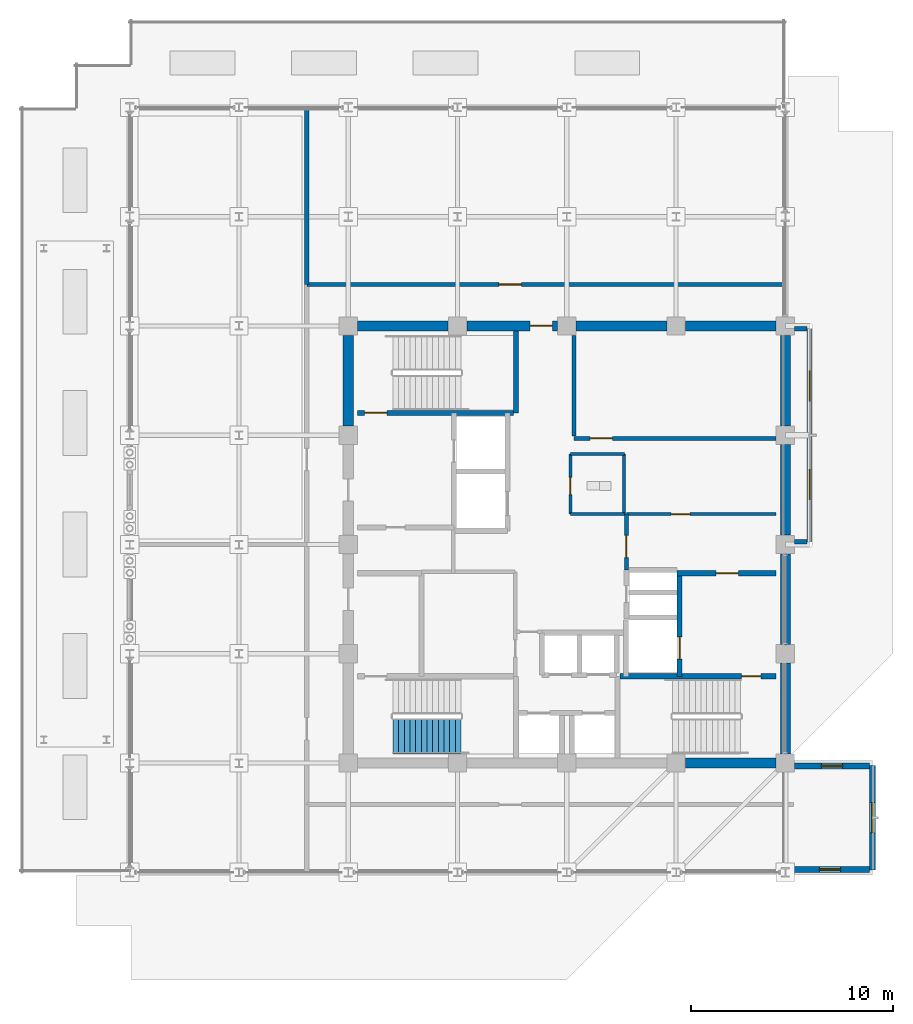
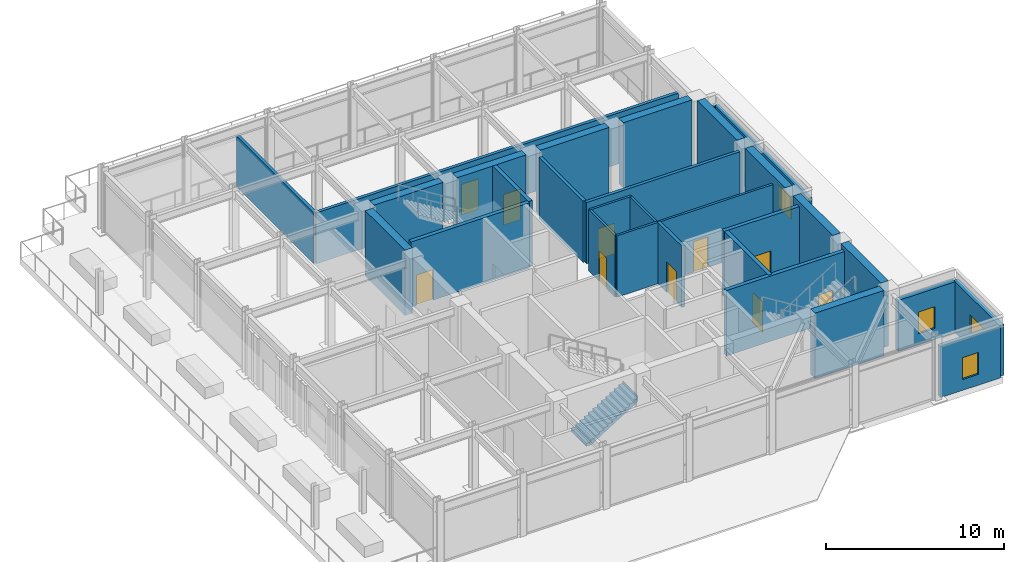
# One storey, part 15 of 22: 31 walls, 10 doors, 5 windows, 1 stair flight, 15 openings, 1 element without a shape of its own.
"""IFC4 building model written with IfcOpenShell, lengths in metres."""

import ifcopenshell
import ifcopenshell.guid

model = None  # the IFC model being written
_history = None  # IfcOwnerHistory: only IFC2X3 demands one
_inside = {}  # id of a spatial element -> (the spatial element, [elements in it])
_under = {}  # id of a project, library or spatial element -> (it, [spatial elements below it])
_declared = {}  # id of a project -> (the project, [libraries it declares])
_typed = {}  # id of a type object -> (the type object, [elements of that type])
_made_of = {}  # id of a material, layer set ... -> (it, [elements and type objects made of it])


def new_model(schema):
    """Start an empty IFC model of exactly this schema.

    Asked for "IFC4X3", IfcOpenShell would pick the latest addendum, in which some entities
    have other attributes; the version numbers below select the first issue.
    IFC2X3 requires an IfcOwnerHistory on every rooted entity: one is made here for all.
    """
    global model, _history
    if schema == "IFC4X3":
        model = ifcopenshell.file(schema_version=(4, 3, 0, 0))
    else:
        model = ifcopenshell.file(schema=schema)
    _inside.clear()
    _under.clear()
    _declared.clear()
    _typed.clear()
    _made_of.clear()
    _history = None
    if model.schema == "IFC2X3":
        org = make("IfcOrganization", Name="unknown")
        user = make(
            "IfcPersonAndOrganization",
            ThePerson=make("IfcPerson", FamilyName="unknown"),
            TheOrganization=org,
        )
        app = make(
            "IfcApplication",
            ApplicationDeveloper=org,
            Version="unknown",
            ApplicationFullName="unknown",
            ApplicationIdentifier="unknown",
        )
        _history = make(
            "IfcOwnerHistory",
            OwningUser=user,
            OwningApplication=app,
            ChangeAction="ADDED",
            CreationDate=0,
        )
    return model


def make(cls, **values):
    """One entity of the class cls with the attributes given. An attribute that is None is left unset."""
    return model.create_entity(
        cls, **{name: value for name, value in values.items() if value is not None}
    )


def rooted(cls, **values):
    """An entity with a GlobalId (a new one), such as an element, a storey or a relation."""
    return make(cls, GlobalId=ifcopenshell.guid.new(), OwnerHistory=_history, **values)


def si_unit(unit_type, name, prefix=None):
    """IfcSIUnit, for example si_unit("LENGTHUNIT", "METRE", prefix="MILLI")."""
    return make("IfcSIUnit", UnitType=unit_type, Prefix=prefix, Name=name)


def assignment(units):
    """IfcUnitAssignment: the units of a project."""
    return None if units is None else make("IfcUnitAssignment", Units=units)


def point(xyz):
    """IfcCartesianPoint."""
    return None if xyz is None else make("IfcCartesianPoint", Coordinates=xyz)


def direction(xyz):
    """IfcDirection."""
    return None if xyz is None else make("IfcDirection", DirectionRatios=xyz)


def frame(location, z_axis=None, x_axis=None):
    """IfcAxis2Placement3D, a coordinate frame: its origin and axes. An axis left out is left unset."""
    return make(
        "IfcAxis2Placement3D",
        Location=point(location),
        Axis=direction(z_axis),
        RefDirection=direction(x_axis),
    )


def frame_2d(location, x_axis=None):
    """IfcAxis2Placement2D, a coordinate frame in the plane: its origin and x axis."""
    return make(
        "IfcAxis2Placement2D", Location=point(location), RefDirection=direction(x_axis)
    )


def origin():
    """The frame at (0, 0, 0) with its axes left unset."""
    return frame((0.0, 0.0, 0.0))


def place(relative_to, where):
    """IfcLocalPlacement: puts the frame where relative to a parent placement (None: the world)."""
    return make(
        "IfcLocalPlacement", PlacementRelTo=relative_to, RelativePlacement=where
    )


def context(
    kind, dimensions, precision=None, world=None, true_north=None, identifier=None
):
    """IfcGeometricRepresentationContext, for example the 3D "Model" context."""
    return make(
        "IfcGeometricRepresentationContext",
        ContextIdentifier=identifier,
        ContextType=kind,
        CoordinateSpaceDimension=dimensions,
        Precision=precision,
        WorldCoordinateSystem=world,
        TrueNorth=true_north,
    )


def subcontext(parent, identifier, kind, view, scale=None):
    """IfcGeometricRepresentationSubContext, for example "Body" below "Model"."""
    return make(
        "IfcGeometricRepresentationSubContext",
        ContextIdentifier=identifier,
        ContextType=kind,
        ParentContext=parent,
        TargetScale=scale,
        TargetView=view,
    )


def project(units=None, contexts=None):
    """IfcProject with its units and contexts."""
    return rooted(
        "IfcProject",
        Name="project",
        RepresentationContexts=contexts,
        UnitsInContext=assignment(units),
    )


def spatial(cls, under=None, at=None, **own):
    """A site, building, storey or space (cls), placed at a placement, below another one or the project."""
    s = rooted(cls, ObjectPlacement=at, **own)
    if under is not None:
        _under.setdefault(under.id(), (under, []))[1].append(s)
    return s


def polyline(points):
    """IfcPolyline through the points."""
    return make("IfcPolyline", Points=[point(p) for p in points])


def profile(cls, at=None, kind="AREA", **sizes):
    """A parametric profile (cls). Its sizes go by their IFC names, for example OverallWidth=200.0."""
    return make(cls, ProfileType=kind, Position=at, **sizes)


def rectangle(**sizes):
    """IfcRectangleProfileDef."""
    return profile("IfcRectangleProfileDef", **sizes)


def outline(outer, holes=None, kind="AREA"):
    """IfcArbitraryClosedProfileDef: a profile drawn as a closed curve; with holes, ...WithVoids."""
    if holes is None:
        return make("IfcArbitraryClosedProfileDef", ProfileType=kind, OuterCurve=outer)
    return make(
        "IfcArbitraryProfileDefWithVoids",
        ProfileType=kind,
        OuterCurve=outer,
        InnerCurves=holes,
    )


def extrude(swept, where, along, depth):
    """IfcExtrudedAreaSolid: the profile swept, set in the frame where, extruded along a direction by depth."""
    return make(
        "IfcExtrudedAreaSolid",
        SweptArea=swept,
        Position=where,
        ExtrudedDirection=direction(along),
        Depth=depth,
    )


def shape(context_of_items, identifier, shape_type, items):
    """IfcShapeRepresentation: the items that make up one representation, for example the "Body"."""
    return make(
        "IfcShapeRepresentation",
        ContextOfItems=context_of_items,
        RepresentationIdentifier=identifier,
        RepresentationType=shape_type,
        Items=items,
    )


def material(Name=None, Category=None):
    """IfcMaterial."""
    return make("IfcMaterial", Name=Name, Category=Category)


def layer(
    of_material, thickness, ventilated=None, Name=None, Category=None, Priority=None
):
    """IfcMaterialLayer: one layer of a wall or slab, of a material (None: an air gap)."""
    return make(
        "IfcMaterialLayer",
        Material=of_material,
        LayerThickness=thickness,
        IsVentilated=ventilated,
        Name=Name,
        Category=Category,
        Priority=Priority,
    )


def layer_set(layers, Name=None):
    """IfcMaterialLayerSet."""
    return make("IfcMaterialLayerSet", MaterialLayers=layers, LayerSetName=Name)


def made_of(thing, what):
    """Note that an element or type object is made of a material, layer set ...; save() writes the relation."""
    if what is not None:
        _made_of.setdefault(what.id(), (what, []))[1].append(thing)
    return thing


def type_object(cls, material=None, **own):
    """A type object (cls), such as IfcWallType, which elements share."""
    return made_of(rooted(cls, **own), material)


def element(
    cls,
    number,
    at=None,
    inside=None,
    cuts=None,
    type_object=None,
    material=None,
    context=None,
    identifier="Body",
    shape_type=None,
    held_by="IfcProductDefinitionShape",
    body=None,
    shapes=None,
    **own,
):
    """One element of the class cls, such as IfcWall. Its Tag is "e" and its number.

    at: its placement. inside: the storey or other place that contains it. cuts: it is an
    opening in that element (IfcRelVoidsElement). A single representation is given by context,
    identifier, shape_type and body (its items); several are given by shapes. held_by: the class
    of the entity that holds the representations. save() writes the other relations.
    """
    e = rooted(cls, Tag="e%d" % number, ObjectPlacement=at, **own)
    if body is not None:
        shapes = [shape(context, identifier, shape_type, body)]
    if shapes is not None:
        e.Representation = make(held_by, Representations=shapes)
    if inside is not None:
        _inside.setdefault(inside.id(), (inside, []))[1].append(e)
    if cuts is not None:
        rooted(
            "IfcRelVoidsElement", RelatingBuildingElement=cuts, RelatedOpeningElement=e
        )
    if type_object is not None:
        _typed.setdefault(type_object.id(), (type_object, []))[1].append(e)
    return made_of(e, material)


def fill(opening, filler):
    """IfcRelFillsElement: the door or window that sits in an opening."""
    return rooted(
        "IfcRelFillsElement",
        RelatingOpeningElement=opening,
        RelatedBuildingElement=filler,
    )


def aggregate(whole, parts):
    """IfcRelAggregates: a whole, such as a stair, and the parts it consists of."""
    return rooted("IfcRelAggregates", RelatingObject=whole, RelatedObjects=parts)


def save(model, path):
    """Write the relations noted so far, then the file.

    IfcRelAggregates (storeys below a building ...), IfcRelContainedInSpatialStructure (elements
    in a storey), IfcRelDefinesByType, IfcRelAssociatesMaterial and IfcRelDeclares: one each for
    every whole, place, type object, material and project.
    """
    for whole, parts in _under.values():
        aggregate(whole, parts)
    for where, things in _inside.values():
        rooted(
            "IfcRelContainedInSpatialStructure",
            RelatedElements=things,
            RelatingStructure=where,
        )
    for kind, things in _typed.values():
        rooted("IfcRelDefinesByType", RelatedObjects=things, RelatingType=kind)
    for what, things in _made_of.values():
        rooted("IfcRelAssociatesMaterial", RelatedObjects=things, RelatingMaterial=what)
    for by, libraries in _declared.values():
        rooted("IfcRelDeclares", RelatingContext=by, RelatedDefinitions=libraries)
    model.write(path)


model = new_model("IFC4")

# Units and contexts
model_context = context("Model", 3, precision=1e-05, world=origin(), true_north=direction((0.0, 1.0)))
body_context = subcontext(model_context, "Body", "Model", "MODEL_VIEW")
ifc_project = project(units=[si_unit("LENGTHUNIT", "METRE"), si_unit("AREAUNIT", "SQUARE_METRE"), si_unit("VOLUMEUNIT", "CUBIC_METRE"), si_unit("PLANEANGLEUNIT", "RADIAN"), si_unit("MASSUNIT", "GRAM", prefix="KILO")], contexts=[model_context])

# Site, building, storey
site_placement = place(None, origin())
site = spatial("IfcSite", under=ifc_project, at=site_placement, CompositionType="ELEMENT")
building_placement = place(site_placement, origin())
building = spatial("IfcBuilding", under=site, at=building_placement, Name="Surkhivell Harbour Commons", CompositionType="ELEMENT")
storey_placement = place(building_placement, frame((0.0, 0.0, 337.5)))
storey = spatial("IfcBuildingStorey", under=building, at=storey_placement, Name="L88", CompositionType="ELEMENT", Elevation=337.5)

# Walls
ifc_material_1 = material(Name="Concrete C50/60", Category="concrete")
ifc_layer_1 = layer(ifc_material_1, 0.5)
ifc_layer_set_1 = layer_set([ifc_layer_1], Name="Concrete C50/60")
wall_type_1 = type_object("IfcWallType", Name="WAL-CORE-500", PredefinedType="SHEAR", material=ifc_layer_set_1)
for number, where, z_axis, x_axis, name in (
    (1, (-10.340087890625, 10.800048828125, 0.0), (0.0, 0.0, 1.0), (1.0, 0.0, 0.0), "L88 Core Shear Wall North 1"),
    (2, (10.800048828125, -10.340087890625, 0.0), (0.0, 0.0, 1.0), (0.0, 1.0, 0.0), "L88 Core Shear Wall East 1"),
):
    element("IfcWall", number, at=place(storey_placement, frame(where, z_axis=z_axis, x_axis=x_axis)), inside=storey, type_object=wall_type_1, Name=name, PredefinedType="SHEAR", context=body_context, shape_type="SweptSolid", body=[
        extrude(rectangle(XDim=4.47998046875, YDim=0.5, at=frame_2d((2.239990234375, 0.0))), origin(), (0.0, 0.0, 1.0), 4.5),
    ])

# Wall, opening, door
wall_1_placement = place(storey_placement, frame((-4.93994140625, 10.800048828125, 0.0), z_axis=(0.0, 0.0, 1.0), x_axis=(1.0, 0.0, 0.0)))
wall_1 = element("IfcWall", 3, at=wall_1_placement, inside=storey, type_object=wall_type_1, Name="L88 Core Shear Wall North 2", PredefinedType="SHEAR", context=body_context, shape_type="SweptSolid", body=[
    extrude(rectangle(XDim=4.47998046875, YDim=0.5, at=frame_2d((2.239990234375, 0.0))), origin(), (0.0, 0.0, 1.0), 4.5),
])
opening_1_placement = place(wall_1_placement, frame((3.1298828125, 0.0, 0.0)))
opening_1 = element("IfcOpeningElement", 4, at=opening_1_placement, cuts=wall_1, Name="Opening ID-2", PredefinedType="OPENING", context=body_context, shape_type="SweptSolid", body=[
    extrude(rectangle(XDim=1.10009765625, YDim=2.10009765625, at=frame_2d((0.550048828125, 1.050048828125))), frame((0.0, 0.260009765625, 0.0), z_axis=(0.0, -1.0, 0.0), x_axis=(1.0, 0.0, 0.0)), (0.0, 0.0, 1.0), 0.52001953125),
])
ifc_material_2 = material(Name="Hardwood-veneered fire-rated door leaf", Category="wood")
door_type_1 = type_object("IfcDoorType", Name="DOR-FD60-1100", OperationType="NOTDEFINED", PredefinedType="DOOR", material=ifc_material_2)
door_1_placement = place(opening_1_placement, origin())
door_1 = element("IfcDoor", 5, at=door_1_placement, inside=storey, type_object=door_type_1, Name="L88 Central Core Lift Hall North Corridor Door", OperationType="SINGLE_SWING_LEFT", OverallHeight=2.10009765625, OverallWidth=1.10009765625, PredefinedType="DOOR", context=body_context, shape_type="SweptSolid", body=[
    extrude(rectangle(XDim=1.10009765625, YDim=2.10009765625, at=frame_2d((0.550048828125, 1.050048828125))), frame((0.0, 0.02490234375, 0.0), z_axis=(0.0, -1.0, 0.0), x_axis=(1.0, 0.0, 0.0)), (0.0, 0.0, 1.0), 0.050048828125),
])
fill(opening_1, door_1)

# Walls
for number, where, z_axis, x_axis, name in (
    (6, (10.800048828125, -4.93994140625, 0.0), (0.0, 0.0, 1.0), (0.0, 1.0, 0.0), "L88 Core Shear Wall East 2"),
    (7, (0.4599609375, 10.800048828125, 0.0), (0.0, 0.0, 1.0), (1.0, 0.0, 0.0), "L88 Core Shear Wall North 3"),
    (8, (10.800048828125, 0.4599609375, 0.0), (0.0, 0.0, 1.0), (0.0, 1.0, 0.0), "L88 Core Shear Wall East 3"),
    (9, (5.860107421875, -10.800048828125, 0.0), (0.0, 0.0, 1.0), (1.0, 0.0, 0.0), "L88 Core Shear Wall South 4"),
    (10, (5.860107421875, 10.800048828125, 0.0), (0.0, 0.0, 1.0), (1.0, 0.0, 0.0), "L88 Core Shear Wall North 4"),
    (11, (-10.800048828125, 5.860107421875, 0.0), (0.0, 0.0, 1.0), (0.0, 1.0, 0.0), "L88 Core Shear Wall West 4"),
    (12, (10.800048828125, 5.860107421875, 0.0), (0.0, 0.0, 1.0), (0.0, 1.0, 0.0), "L88 Core Shear Wall East 4"),
):
    element("IfcWall", number, at=place(storey_placement, frame(where, z_axis=z_axis, x_axis=x_axis)), inside=storey, type_object=wall_type_1, Name=name, PredefinedType="SHEAR", context=body_context, shape_type="SweptSolid", body=[
        extrude(rectangle(XDim=4.47998046875, YDim=0.5, at=frame_2d((2.239990234375, 0.0))), origin(), (0.0, 0.0, 1.0), 4.5),
    ])

# Wall, opening, window
ifc_material_3 = material(Name="Flemish-bond kiln brick and precast concrete C45/55", Category="masonry")
ifc_layer_2 = layer(ifc_material_3, 0.300048828125)
ifc_layer_set_2 = layer_set([ifc_layer_2], Name="Flemish-bond kiln brick and precast concrete C45/55")
wall_type_2 = type_object("IfcWallType", Name="WAL-EXT-BRK300", PredefinedType="STANDARD", material=ifc_layer_set_2)
wall_2_placement = place(storey_placement, frame((15.10009765625, -16.080078125, 0.0), z_axis=(0.0, 0.0, 1.0), x_axis=(0.0, 1.0, 0.0)))
wall_2 = element("IfcWall", 13, at=wall_2_placement, inside=storey, type_object=wall_type_2, Name="L88 Coloured Box Front Wall 01", PredefinedType="STANDARD", context=body_context, shape_type="SweptSolid", body=[
    extrude(rectangle(XDim=5.16015625, YDim=0.300048828125, at=frame_2d((2.580078125, 0.0))), origin(), (0.0, 0.0, 1.0), 3.507080078125),
])
opening_2_placement = place(wall_2_placement, frame((1.830078125, 0.0, 0.75)))
opening_2 = element("IfcOpeningElement", 14, at=opening_2_placement, cuts=wall_2, Name="Opening WN-13", PredefinedType="OPENING", context=body_context, shape_type="SweptSolid", body=[
    extrude(rectangle(XDim=1.5, YDim=1.5, at=frame_2d((0.75, 0.75))), frame((0.0, 0.159912109375, 0.0), z_axis=(0.0, -1.0, 0.0), x_axis=(1.0, 0.0, 0.0)), (0.0, 0.0, 1.0), 0.320068359375),
])
ifc_material_4 = material(Name="Thermal-break aluminium frame and double low-E glazing", Category="aluminium")
window_type_1 = type_object("IfcWindowType", Name="WIN-BOX-1500x1500", PartitioningType="SINGLE_PANEL", PredefinedType="WINDOW", material=ifc_material_4)
window_1_placement = place(opening_2_placement, origin())
window_1 = element("IfcWindow", 15, at=window_1_placement, inside=storey, type_object=window_type_1, Name="L88 Coloured Box Square Window 01-1", OverallHeight=1.5, OverallWidth=1.5, PartitioningType="SINGLE_PANEL", PredefinedType="WINDOW", context=body_context, shape_type="SweptSolid", body=[
    extrude(rectangle(XDim=1.5, YDim=1.5, at=frame_2d((0.75, 0.75))), frame((0.0, 0.030029296875, 0.0), z_axis=(0.0, -1.0, 0.0), x_axis=(1.0, 0.0, 0.0)), (0.0, 0.0, 1.0), 0.06005859375),
])
fill(opening_2, window_1)

wall_3_placement = place(storey_placement, frame((11.0439453125, -16.06005859375, 0.0), z_axis=(0.0, 0.0, 1.0), x_axis=(1.0, 0.0, 0.0)))
wall_3 = element("IfcWall", 16, at=wall_3_placement, inside=storey, type_object=wall_type_2, Name="L88 Coloured Box Return Wall 01S", PredefinedType="STANDARD", context=body_context, shape_type="SweptSolid", body=[
    extrude(rectangle(XDim=3.916015625, YDim=0.300048828125, at=frame_2d((1.9580078125, 0.0))), origin(), (0.0, 0.0, 1.0), 3.507080078125),
])
opening_3_placement = place(wall_3_placement, frame((1.43310546875, 0.0, 0.75)))
opening_3 = element("IfcOpeningElement", 17, at=opening_3_placement, cuts=wall_3, Name="Opening WN-11", PredefinedType="OPENING", context=body_context, shape_type="SweptSolid", body=[
    extrude(rectangle(XDim=1.050048828125, YDim=1.5, at=frame_2d((0.52490234375, 0.75))), frame((0.0, 0.159912109375, 0.0), z_axis=(0.0, -1.0, 0.0), x_axis=(1.0, 0.0, 0.0)), (0.0, 0.0, 1.0), 0.320068359375),
])
window_type_2 = type_object("IfcWindowType", Name="WIN-SER-1050x1500", PartitioningType="SINGLE_PANEL", PredefinedType="WINDOW", material=ifc_material_4)
window_2_placement = place(opening_3_placement, origin())
window_2 = element("IfcWindow", 18, at=window_2_placement, inside=storey, type_object=window_type_2, Name="L88 Coloured Box Return Window 01S", OverallHeight=1.5, OverallWidth=1.050048828125, PartitioningType="SINGLE_PANEL", PredefinedType="WINDOW", context=body_context, shape_type="SweptSolid", body=[
    extrude(rectangle(XDim=1.050048828125, YDim=1.5, at=frame_2d((0.52490234375, 0.75))), frame((0.0, 0.030029296875, 0.0), z_axis=(0.0, -1.0, 0.0), x_axis=(1.0, 0.0, 0.0)), (0.0, 0.0, 1.0), 0.06005859375),
])
fill(opening_3, window_2)

wall_4_placement = place(storey_placement, frame((11.25390625, -10.93994140625, 0.0), z_axis=(0.0, 0.0, 1.0), x_axis=(1.0, 0.0, 0.0)))
wall_4 = element("IfcWall", 19, at=wall_4_placement, inside=storey, type_object=wall_type_2, Name="L88 Coloured Box Return Wall 01N", PredefinedType="STANDARD", context=body_context, shape_type="SweptSolid", body=[
    extrude(rectangle(XDim=3.7060546875, YDim=0.300048828125, at=frame_2d((1.85302734375, 0.0))), origin(), (0.0, 0.0, 1.0), 3.507080078125),
])
opening_4_placement = place(wall_4_placement, frame((1.327880859375, 0.0, 0.75)))
opening_4 = element("IfcOpeningElement", 20, at=opening_4_placement, cuts=wall_4, Name="Opening WN-11", PredefinedType="OPENING", context=body_context, shape_type="SweptSolid", body=[
    extrude(rectangle(XDim=1.050048828125, YDim=1.5, at=frame_2d((0.52490234375, 0.75))), frame((0.0, 0.159912109375, 0.0), z_axis=(0.0, -1.0, 0.0), x_axis=(1.0, 0.0, 0.0)), (0.0, 0.0, 1.0), 0.320068359375),
])
window_3_placement = place(opening_4_placement, origin())
window_3 = element("IfcWindow", 21, at=window_3_placement, inside=storey, type_object=window_type_2, Name="L88 Coloured Box Return Window 01N", OverallHeight=1.5, OverallWidth=1.050048828125, PartitioningType="SINGLE_PANEL", PredefinedType="WINDOW", context=body_context, shape_type="SweptSolid", body=[
    extrude(rectangle(XDim=1.050048828125, YDim=1.5, at=frame_2d((0.52490234375, 0.75))), frame((0.0, 0.030029296875, 0.0), z_axis=(0.0, -1.0, 0.0), x_axis=(1.0, 0.0, 0.0)), (0.0, 0.0, 1.0), 0.06005859375),
])
fill(opening_4, window_3)

# Wall, openings, windows
ifc_material_5 = material(Name="Bronze-ochre cassette precast concrete C45/55", Category="concrete")
ifc_layer_3 = layer(ifc_material_5, 0.239990234375)
ifc_layer_set_3 = layer_set([ifc_layer_3], Name="Bronze-ochre cassette precast concrete C45/55")
wall_type_3 = type_object("IfcWallType", Name="WAL-EXT-OCH240", PredefinedType="STANDARD", material=ifc_layer_set_3)
wall_5_placement = place(storey_placement, frame((12.0, 0.1201171875, 0.0), z_axis=(0.0, 0.0, 1.0), x_axis=(0.0, 1.0, 0.0)))
wall_5 = element("IfcWall", 22, at=wall_5_placement, inside=storey, type_object=wall_type_3, Name="L88 Coloured Box Front Wall 02", PredefinedType="STANDARD", context=body_context, shape_type="SweptSolid", body=[
    extrude(rectangle(XDim=10.559814453125, YDim=0.239990234375, at=frame_2d((5.27978515625, 0.0))), origin(), (0.0, 0.0, 1.0), 3.507080078125),
])
opening_5_placement = place(wall_5_placement, frame((2.090087890625, 0.0, 0.75)))
opening_5 = element("IfcOpeningElement", 23, at=opening_5_placement, cuts=wall_5, Name="Opening WN-13", PredefinedType="OPENING", context=body_context, shape_type="SweptSolid", body=[
    extrude(rectangle(XDim=1.5, YDim=1.5, at=frame_2d((0.75, 0.75))), frame((0.0, 0.1298828125, 0.0), z_axis=(0.0, -1.0, 0.0), x_axis=(1.0, 0.0, 0.0)), (0.0, 0.0, 1.0), 0.260009765625),
])
opening_6_placement = place(wall_5_placement, frame((6.969970703125, 0.0, 0.75)))
opening_6 = element("IfcOpeningElement", 24, at=opening_6_placement, cuts=wall_5, Name="Opening WN-13", PredefinedType="OPENING", context=body_context, shape_type="SweptSolid", body=[
    extrude(rectangle(XDim=1.5, YDim=1.5, at=frame_2d((0.75, 0.75))), frame((0.0, 0.1298828125, 0.0), z_axis=(0.0, -1.0, 0.0), x_axis=(1.0, 0.0, 0.0)), (0.0, 0.0, 1.0), 0.260009765625),
])
window_4_placement = place(opening_5_placement, origin())
window_4 = element("IfcWindow", 25, at=window_4_placement, inside=storey, type_object=window_type_1, Name="L88 Coloured Box Square Window 02-1", OverallHeight=1.5, OverallWidth=1.5, PartitioningType="SINGLE_PANEL", PredefinedType="WINDOW", context=body_context, shape_type="SweptSolid", body=[
    extrude(rectangle(XDim=1.5, YDim=1.5, at=frame_2d((0.75, 0.75))), frame((0.0, 0.030029296875, 0.0), z_axis=(0.0, -1.0, 0.0), x_axis=(1.0, 0.0, 0.0)), (0.0, 0.0, 1.0), 0.06005859375),
])
fill(opening_5, window_4)
window_5_placement = place(opening_6_placement, origin())
window_5 = element("IfcWindow", 26, at=window_5_placement, inside=storey, type_object=window_type_1, Name="L88 Coloured Box Square Window 02-2", OverallHeight=1.5, OverallWidth=1.5, PartitioningType="SINGLE_PANEL", PredefinedType="WINDOW", context=body_context, shape_type="SweptSolid", body=[
    extrude(rectangle(XDim=1.5, YDim=1.5, at=frame_2d((0.75, 0.75))), frame((0.0, 0.030029296875, 0.0), z_axis=(0.0, -1.0, 0.0), x_axis=(1.0, 0.0, 0.0)), (0.0, 0.0, 1.0), 0.06005859375),
])
fill(opening_6, window_5)

# Walls
for number, where, z_axis, x_axis, name in (
    (27, (11.25390625, 0.139892578125, 0.0), (0.0, 0.0, 1.0), (1.0, 0.0, 0.0), "L88 Coloured Box Return Wall 02S"),
    (28, (11.25390625, 10.659912109375, 0.0), (0.0, 0.0, 1.0), (1.0, 0.0, 0.0), "L88 Coloured Box Return Wall 02N"),
):
    element("IfcWall", number, at=place(storey_placement, frame(where, z_axis=z_axis, x_axis=x_axis)), inside=storey, type_object=wall_type_3, Name=name, PredefinedType="STANDARD", context=body_context, shape_type="SweptSolid", body=[
        extrude(rectangle(XDim=0.606201171875, YDim=0.239990234375, at=frame_2d((0.30322265625, 0.0))), origin(), (0.0, 0.0, 1.0), 3.507080078125),
    ])
ifc_material_6 = material(Name="Twin-stud acoustic fireboard partition", Category="other")
ifc_layer_4 = layer(ifc_material_6, 0.14990234375)
ifc_layer_set_4 = layer_set([ifc_layer_4], Name="Twin-stud acoustic fireboard partition")
wall_type_4 = type_object("IfcWallType", Name="WAL-INT-150", PredefinedType="PARTITIONING", material=ifc_layer_set_4)
wall_6_placement = place(storey_placement, frame((2.820068359375, 1.52001953125, 0.0), z_axis=(0.0, 0.0, 1.0), x_axis=(0.0, 1.0, 0.0)))
element("IfcWall", 29, at=wall_6_placement, inside=storey, type_object=wall_type_4, Name="L88 Core Accessible WC East Wall", PredefinedType="PARTITIONING", context=body_context, shape_type="SweptSolid", body=[
    extrude(rectangle(XDim=2.9599609375, YDim=0.14990234375, at=frame_2d((1.47998046875, 0.0))), origin(), (0.0, 0.0, 1.0), 4.219970703125),
])
for number, where, z_axis, x_axis, name in (
    (30, (0.179931640625, 4.47998046875, 0.0), (0.0, 0.0, 1.0), (1.0, 0.0, 0.0), "L88 Core Accessible WC North Wall"),
    (31, (0.179931640625, 1.52001953125, 0.0), (0.0, 0.0, 1.0), (1.0, 0.0, 0.0), "L88 Core Accessible WC South Wall"),
):
    element("IfcWall", number, at=place(storey_placement, frame(where, z_axis=z_axis, x_axis=x_axis)), inside=storey, type_object=wall_type_4, Name=name, PredefinedType="PARTITIONING", context=body_context, shape_type="SweptSolid", body=[
        extrude(rectangle(XDim=2.670166015625, YDim=0.14990234375, at=frame_2d((1.3349609375, 0.0))), origin(), (0.0, 0.0, 1.0), 4.219970703125),
    ])

# Wall, opening, door
wall_7_placement = place(storey_placement, frame((0.179931640625, 1.52001953125, 0.0), z_axis=(0.0, 0.0, 1.0), x_axis=(0.0, 1.0, 0.0)))
wall_7 = element("IfcWall", 32, at=wall_7_placement, inside=storey, type_object=wall_type_4, Name="L88 Core Accessible WC West Wall", PredefinedType="PARTITIONING", context=body_context, shape_type="SweptSolid", body=[
    extrude(rectangle(XDim=2.9599609375, YDim=0.14990234375, at=frame_2d((1.47998046875, 0.0))), origin(), (0.0, 0.0, 1.0), 4.219970703125),
])
opening_7_placement = place(wall_7_placement, frame((0.949951171875, 0.0, 0.0)))
opening_7 = element("IfcOpeningElement", 33, at=opening_7_placement, cuts=wall_7, Name="Opening ID-6", PredefinedType="OPENING", context=body_context, shape_type="SweptSolid", body=[
    extrude(rectangle(XDim=0.85009765625, YDim=2.10009765625, at=frame_2d((0.425048828125, 1.050048828125))), frame((0.0, 0.0849609375, 0.0), z_axis=(0.0, -1.0, 0.0), x_axis=(1.0, 0.0, 0.0)), (0.0, 0.0, 1.0), 0.169921875),
])
door_type_2 = type_object("IfcDoorType", Name="DOR-FD30-850", OperationType="NOTDEFINED", PredefinedType="DOOR", material=ifc_material_2)
door_2_placement = place(opening_7_placement, origin())
door_2 = element("IfcDoor", 34, at=door_2_placement, inside=storey, type_object=door_type_2, Name="L88 Floor Accessible WC Door", OperationType="SINGLE_SWING_RIGHT", OverallHeight=2.10009765625, OverallWidth=0.85009765625, PredefinedType="DOOR", context=body_context, shape_type="SweptSolid", body=[
    extrude(rectangle(XDim=0.85009765625, YDim=2.10009765625, at=frame_2d((0.425048828125, 1.050048828125))), frame((0.0, 0.02490234375, 0.0), z_axis=(0.0, -1.0, 0.0), x_axis=(1.0, 0.0, 0.0)), (0.0, 0.0, 1.0), 0.050048828125),
])
fill(opening_7, door_2)

wall_8_placement = place(storey_placement, frame((2.949951171875, 1.5, 0.0), z_axis=(0.0, 0.0, 1.0), x_axis=(1.0, 0.0, 0.0)))
wall_8 = element("IfcWall", 35, at=wall_8_placement, inside=storey, type_object=wall_type_4, Name="L88 Crown East Core Corridor Wall", PredefinedType="PARTITIONING", context=body_context, shape_type="SweptSolid", body=[
    extrude(rectangle(XDim=7.39013671875, YDim=0.14990234375, at=frame_2d((3.695068359375, 0.0))), origin(), (0.0, 0.0, 1.0), 4.219970703125),
])
opening_8_placement = place(wall_8_placement, frame((2.199951171875, 0.0, 0.0)))
opening_8 = element("IfcOpeningElement", 36, at=opening_8_placement, cuts=wall_8, Name="Opening ID-4", PredefinedType="OPENING", context=body_context, shape_type="SweptSolid", body=[
    extrude(rectangle(XDim=0.949951171875, YDim=2.10009765625, at=frame_2d((0.47509765625, 1.050048828125))), frame((0.0, 0.0849609375, 0.0), z_axis=(0.0, -1.0, 0.0), x_axis=(1.0, 0.0, 0.0)), (0.0, 0.0, 1.0), 0.169921875),
])
door_type_3 = type_object("IfcDoorType", Name="DOR-FD60-950", OperationType="NOTDEFINED", PredefinedType="DOOR", material=ifc_material_2)
door_3_placement = place(opening_8_placement, origin())
door_3 = element("IfcDoor", 37, at=door_3_placement, inside=storey, type_object=door_type_3, Name="L88 Crown East Room Door", OperationType="SINGLE_SWING_RIGHT", OverallHeight=2.10009765625, OverallWidth=0.949951171875, PredefinedType="DOOR", context=body_context, shape_type="SweptSolid", body=[
    extrude(rectangle(XDim=0.949951171875, YDim=2.10009765625, at=frame_2d((0.47509765625, 1.050048828125))), frame((0.0, 0.02490234375, 0.0), z_axis=(0.0, -1.0, 0.0), x_axis=(1.0, 0.0, 0.0)), (0.0, 0.0, 1.0), 0.050048828125),
])
fill(opening_8, door_3)

ifc_material_7 = material(Name="Autoclaved aerated concrete blockwork and fire plaster", Category="masonry")
ifc_layer_5 = layer(ifc_material_7, 0.199951171875)
ifc_layer_set_5 = layer_set([ifc_layer_5], Name="Autoclaved aerated concrete blockwork and fire plaster")
wall_type_5 = type_object("IfcWallType", Name="WAL-INT-200", PredefinedType="PARTITIONING", material=ifc_layer_set_5)
wall_9_placement = place(storey_placement, frame((0.35009765625, 5.239990234375, 0.0), z_axis=(0.0, 0.0, 1.0), x_axis=(1.0, 0.0, 0.0)))
wall_9 = element("IfcWall", 38, at=wall_9_placement, inside=storey, type_object=wall_type_5, Name="L88 Reclaimed Core North Bay South Wall", PredefinedType="PARTITIONING", context=body_context, shape_type="SweptSolid", body=[
    extrude(rectangle(XDim=9.989990234375, YDim=0.199951171875, at=frame_2d((4.9951171875, 0.0))), origin(), (0.0, 0.0, 1.0), 4.219970703125),
])
opening_9_placement = place(wall_9_placement, frame((0.800048828125, 0.0, 0.0)))
opening_9 = element("IfcOpeningElement", 39, at=opening_9_placement, cuts=wall_9, Name="Opening ID-2", PredefinedType="OPENING", context=body_context, shape_type="SweptSolid", body=[
    extrude(rectangle(XDim=1.10009765625, YDim=2.10009765625, at=frame_2d((0.550048828125, 1.050048828125))), frame((0.0, 0.10986328125, 0.0), z_axis=(0.0, -1.0, 0.0), x_axis=(1.0, 0.0, 0.0)), (0.0, 0.0, 1.0), 0.219970703125),
])
door_4_placement = place(opening_9_placement, origin())
door_4 = element("IfcDoor", 40, at=door_4_placement, inside=storey, type_object=door_type_1, Name="L88 Core Fan Room Door", OperationType="SINGLE_SWING_LEFT", OverallHeight=2.10009765625, OverallWidth=1.10009765625, PredefinedType="DOOR", context=body_context, shape_type="SweptSolid", body=[
    extrude(rectangle(XDim=1.10009765625, YDim=2.10009765625, at=frame_2d((0.550048828125, 1.050048828125))), frame((0.0, 0.02490234375, 0.0), z_axis=(0.0, -1.0, 0.0), x_axis=(1.0, 0.0, 0.0)), (0.0, 0.0, 1.0), 0.050048828125),
])
fill(opening_9, door_4)

# Wall
wall_10_placement = place(storey_placement, frame((0.35009765625, 5.360107421875, 0.0), z_axis=(0.0, 0.0, 1.0), x_axis=(0.0, 1.0, 0.0)))
element("IfcWall", 41, at=wall_10_placement, inside=storey, type_object=wall_type_5, Name="L88 Reclaimed Core North Bay West Wall", PredefinedType="PARTITIONING", context=body_context, shape_type="SweptSolid", body=[
    extrude(rectangle(XDim=4.97998046875, YDim=0.199951171875, at=frame_2d((2.489990234375, 0.0))), origin(), (0.0, 0.0, 1.0), 4.219970703125),
])

# Wall, opening, door
wall_11_placement = place(storey_placement, frame((2.949951171875, -1.25, 0.0), z_axis=(0.0, 0.0, 1.0), x_axis=(0.0, 1.0, 0.0)))
wall_11 = element("IfcWall", 42, at=wall_11_placement, inside=storey, type_object=wall_type_5, Name="L88 Reclaimed East Core West Wall", PredefinedType="PARTITIONING", context=body_context, shape_type="SweptSolid", body=[
    extrude(rectangle(XDim=2.77001953125, YDim=0.199951171875, at=frame_2d((1.385009765625, 0.0))), origin(), (0.0, 0.0, 1.0), 4.219970703125),
])
opening_10_placement = place(wall_11_placement, frame((0.60009765625, 0.0, 0.0)))
opening_10 = element("IfcOpeningElement", 43, at=opening_10_placement, cuts=wall_11, Name="Opening ID-2", PredefinedType="OPENING", context=body_context, shape_type="SweptSolid", body=[
    extrude(rectangle(XDim=1.10009765625, YDim=2.10009765625, at=frame_2d((0.550048828125, 1.050048828125))), frame((0.0, 0.10986328125, 0.0), z_axis=(0.0, -1.0, 0.0), x_axis=(1.0, 0.0, 0.0)), (0.0, 0.0, 1.0), 0.219970703125),
])
door_5_placement = place(opening_10_placement, origin())
door_5 = element("IfcDoor", 44, at=door_5_placement, inside=storey, type_object=door_type_1, Name="L88 Crown East Escape Door", OperationType="SINGLE_SWING_LEFT", OverallHeight=2.10009765625, OverallWidth=1.10009765625, PredefinedType="DOOR", context=body_context, shape_type="SweptSolid", body=[
    extrude(rectangle(XDim=1.10009765625, YDim=2.10009765625, at=frame_2d((0.550048828125, 1.050048828125))), frame((0.0, 0.02490234375, 0.0), z_axis=(0.0, -1.0, 0.0), x_axis=(1.0, 0.0, 0.0)), (0.0, 0.0, 1.0), 0.050048828125),
])
fill(opening_10, door_5)

# Wall
wall_12_placement = place(storey_placement, frame((-12.85009765625, 12.85009765625, 0.0), z_axis=(0.0, 0.0, 1.0), x_axis=(0.0, 1.0, 0.0)))
element("IfcWall", 45, at=wall_12_placement, inside=storey, type_object=wall_type_5, Name="L88 Crown NW Corner Wall", PredefinedType="PARTITIONING", context=body_context, shape_type="SweptSolid", body=[
    extrude(rectangle(XDim=8.7099609375, YDim=0.199951171875, at=frame_2d((4.35498046875, 0.0))), origin(), (0.0, 0.0, 1.0), 3.507080078125),
])

# Wall, opening, door
wall_13_placement = place(storey_placement, frame((-12.85009765625, 12.85009765625, 0.0), z_axis=(0.0, 0.0, 1.0), x_axis=(1.0, 0.0, 0.0)))
wall_13 = element("IfcWall", 46, at=wall_13_placement, inside=storey, type_object=wall_type_5, Name="L88 Crown Corridor North Wall", PredefinedType="PARTITIONING", context=body_context, shape_type="SweptSolid", body=[
    extrude(rectangle(XDim=23.610107421875, YDim=0.199951171875, at=frame_2d((11.80517578125, 0.0))), origin(), (0.0, 0.0, 1.0), 3.507080078125),
])
opening_11_placement = place(wall_13_placement, frame((9.5, 0.0, 0.0)))
opening_11 = element("IfcOpeningElement", 47, at=opening_11_placement, cuts=wall_13, Name="Opening ID-2", PredefinedType="OPENING", context=body_context, shape_type="SweptSolid", body=[
    extrude(rectangle(XDim=1.10009765625, YDim=2.10009765625, at=frame_2d((0.550048828125, 1.050048828125))), frame((0.0, 0.10986328125, 0.0), z_axis=(0.0, -1.0, 0.0), x_axis=(1.0, 0.0, 0.0)), (0.0, 0.0, 1.0), 0.219970703125),
])
door_6_placement = place(opening_11_placement, origin())
door_6 = element("IfcDoor", 48, at=door_6_placement, inside=storey, type_object=door_type_1, Name="L88 Crown Conservatory AHU Mechanical Plant Door", OperationType="SINGLE_SWING_RIGHT", OverallHeight=2.10009765625, OverallWidth=1.10009765625, PredefinedType="DOOR", context=body_context, shape_type="SweptSolid", body=[
    extrude(rectangle(XDim=1.10009765625, YDim=2.10009765625, at=frame_2d((0.550048828125, 1.050048828125))), frame((0.0, 0.02490234375, 0.0), z_axis=(0.0, -1.0, 0.0), x_axis=(1.0, 0.0, 0.0)), (0.0, 0.0, 1.0), 0.050048828125),
])
fill(opening_11, door_6)

ifc_layer_6 = layer(ifc_material_1, 0.25)
ifc_layer_set_6 = layer_set([ifc_layer_6], Name="Concrete C50/60")
wall_type_6 = type_object("IfcWallType", Name="WAL-SHAFT-250", PredefinedType="SHEAR", material=ifc_layer_set_6)
wall_14_placement = place(storey_placement, frame((5.43994140625, -1.419921875, 0.0), z_axis=(0.0, 0.0, 1.0), x_axis=(1.0, 0.0, 0.0)))
wall_14 = element("IfcWall", 49, at=wall_14_placement, inside=storey, type_object=wall_type_6, Name="L88 Firefighting Lobby 2 North Wall", PredefinedType="SHEAR", context=body_context, shape_type="SweptSolid", body=[
    extrude(rectangle(XDim=4.900146484375, YDim=0.25, at=frame_2d((2.4501953125, 0.0))), origin(), (0.0, 0.0, 1.0), 4.5),
])
opening_12_placement = place(wall_14_placement, frame((1.93994140625, 0.0, 0.0)))
opening_12 = element("IfcOpeningElement", 50, at=opening_12_placement, cuts=wall_14, Name="Opening ID-1", PredefinedType="OPENING", context=body_context, shape_type="SweptSolid", body=[
    extrude(rectangle(XDim=1.10009765625, YDim=2.10009765625, at=frame_2d((0.550048828125, 1.050048828125))), frame((0.0, 0.135009765625, 0.0), z_axis=(0.0, -1.0, 0.0), x_axis=(1.0, 0.0, 0.0)), (0.0, 0.0, 1.0), 0.27001953125),
])
door_type_4 = type_object("IfcDoorType", Name="DOR-FD120-1100", OperationType="NOTDEFINED", PredefinedType="DOOR", material=ifc_material_2)
door_7_placement = place(opening_12_placement, origin())
door_7 = element("IfcDoor", 51, at=door_7_placement, inside=storey, type_object=door_type_4, Name="L88 Firefighting Lobby 2 Inner Door", OperationType="SINGLE_SWING_LEFT", OverallHeight=2.10009765625, OverallWidth=1.10009765625, PredefinedType="DOOR", context=body_context, shape_type="SweptSolid", body=[
    extrude(rectangle(XDim=1.10009765625, YDim=2.10009765625, at=frame_2d((0.550048828125, 1.050048828125))), frame((0.0, 0.02490234375, 0.0), z_axis=(0.0, -1.0, 0.0), x_axis=(1.0, 0.0, 0.0)), (0.0, 0.0, 1.0), 0.050048828125),
])
fill(opening_12, door_7)

wall_15_placement = place(storey_placement, frame((5.580078125, -6.510009765625, 0.0), z_axis=(0.0, 0.0, 1.0), x_axis=(0.0, 1.0, 0.0)))
wall_15 = element("IfcWall", 52, at=wall_15_placement, inside=storey, type_object=wall_type_6, Name="L88 Firefighting Lobby 2 West Shaft Wall", PredefinedType="SHEAR", context=body_context, shape_type="SweptSolid", body=[
    extrude(rectangle(XDim=5.090087890625, YDim=0.25, at=frame_2d((2.544921875, 0.0))), origin(), (0.0, 0.0, 1.0), 4.5),
])
opening_13_placement = place(wall_15_placement, frame((0.85009765625, 0.0, 0.0)))
opening_13 = element("IfcOpeningElement", 53, at=opening_13_placement, cuts=wall_15, Name="Opening LD-1", PredefinedType="OPENING", context=body_context, shape_type="SweptSolid", body=[
    extrude(rectangle(XDim=1.10009765625, YDim=2.10009765625, at=frame_2d((0.550048828125, 1.050048828125))), frame((0.0, 0.135009765625, 0.0), z_axis=(0.0, -1.0, 0.0), x_axis=(1.0, 0.0, 0.0)), (0.0, 0.0, 1.0), 0.27001953125),
])
ifc_material_8 = material(Name="Brushed stainless steel S355", Category="steel")
door_type_5 = type_object("IfcDoorType", Name="DOR-LD-1100", OperationType="SLIDING_TO_LEFT", PredefinedType="DOOR", material=ifc_material_8)
door_8_placement = place(opening_13_placement, origin())
door_8 = element("IfcDoor", 54, at=door_8_placement, inside=storey, type_object=door_type_5, Name="L88 Lift Landing Door LD-FFL2", OperationType="SLIDING_TO_RIGHT", OverallHeight=2.10009765625, OverallWidth=1.10009765625, PredefinedType="DOOR", context=body_context, shape_type="SweptSolid", body=[
    extrude(rectangle(XDim=1.10009765625, YDim=2.10009765625, at=frame_2d((0.550048828125, 1.050048828125))), frame((0.0, 0.02490234375, 0.0), z_axis=(0.0, -1.0, 0.0), x_axis=(1.0, 0.0, 0.0)), (0.0, 0.0, 1.0), 0.050048828125),
])
fill(opening_13, door_8)

# Wall
wall_16_placement = place(storey_placement, frame((-2.510009765625, 6.510009765625, 0.0), z_axis=(0.0, 0.0, 1.0), x_axis=(0.0, 1.0, 0.0)))
element("IfcWall", 55, at=wall_16_placement, inside=storey, type_object=wall_type_6, Name="L88 Stair ST1 East Shear Wall", PredefinedType="SHEAR", context=body_context, shape_type="SweptSolid", body=[
    extrude(rectangle(XDim=4.0400390625, YDim=0.25, at=frame_2d((2.02001953125, 0.0))), origin(), (0.0, 0.0, 1.0), 4.5),
])

# Wall, opening, door
wall_17_placement = place(storey_placement, frame((-10.340087890625, 6.510009765625, 0.0), z_axis=(0.0, 0.0, 1.0), x_axis=(1.0, 0.0, 0.0)))
wall_17 = element("IfcWall", 56, at=wall_17_placement, inside=storey, type_object=wall_type_6, Name="L88 Stair ST1 South Shear Wall", PredefinedType="SHEAR", context=body_context, shape_type="SweptSolid", body=[
    extrude(rectangle(XDim=7.7001953125, YDim=0.25, at=frame_2d((3.85009765625, 0.0))), origin(), (0.0, 0.0, 1.0), 4.5),
])
opening_14_placement = place(wall_17_placement, frame((0.35009765625, 0.0, 0.0)))
opening_14 = element("IfcOpeningElement", 57, at=opening_14_placement, cuts=wall_17, Name="Opening ID-2", PredefinedType="OPENING", context=body_context, shape_type="SweptSolid", body=[
    extrude(rectangle(XDim=1.10009765625, YDim=2.10009765625, at=frame_2d((0.550048828125, 1.050048828125))), frame((0.0, 0.135009765625, 0.0), z_axis=(0.0, -1.0, 0.0), x_axis=(1.0, 0.0, 0.0)), (0.0, 0.0, 1.0), 0.27001953125),
])
door_9_placement = place(opening_14_placement, origin())
door_9 = element("IfcDoor", 58, at=door_9_placement, inside=storey, type_object=door_type_1, Name="L88 Stair ST1 Exit Door", OperationType="SINGLE_SWING_LEFT", OverallHeight=2.10009765625, OverallWidth=1.10009765625, PredefinedType="DOOR", context=body_context, shape_type="SweptSolid", body=[
    extrude(rectangle(XDim=1.10009765625, YDim=2.10009765625, at=frame_2d((0.550048828125, 1.050048828125))), frame((0.0, 0.02490234375, 0.0), z_axis=(0.0, -1.0, 0.0), x_axis=(1.0, 0.0, 0.0)), (0.0, 0.0, 1.0), 0.050048828125),
])
fill(opening_14, door_9)

wall_18_placement = place(storey_placement, frame((2.639892578125, -6.510009765625, 0.0), z_axis=(0.0, 0.0, 1.0), x_axis=(1.0, 0.0, 0.0)))
wall_18 = element("IfcWall", 59, at=wall_18_placement, inside=storey, type_object=wall_type_6, Name="L88 Stair ST2 North Shear Wall", PredefinedType="SHEAR", context=body_context, shape_type="SweptSolid", body=[
    extrude(rectangle(XDim=7.7001953125, YDim=0.25, at=frame_2d((3.85009765625, 0.0))), origin(), (0.0, 0.0, 1.0), 4.5),
])
opening_15_placement = place(wall_18_placement, frame((6.0, 0.0, 0.0)))
opening_15 = element("IfcOpeningElement", 60, at=opening_15_placement, cuts=wall_18, Name="Opening ID-4", PredefinedType="OPENING", context=body_context, shape_type="SweptSolid", body=[
    extrude(rectangle(XDim=0.949951171875, YDim=2.10009765625, at=frame_2d((0.47509765625, 1.050048828125))), frame((0.0, 0.135009765625, 0.0), z_axis=(0.0, -1.0, 0.0), x_axis=(1.0, 0.0, 0.0)), (0.0, 0.0, 1.0), 0.27001953125),
])
door_10_placement = place(opening_15_placement, origin())
door_10 = element("IfcDoor", 61, at=door_10_placement, inside=storey, type_object=door_type_3, Name="L88 Stair ST2 Exit Door", OperationType="SINGLE_SWING_RIGHT", OverallHeight=2.10009765625, OverallWidth=0.949951171875, PredefinedType="DOOR", context=body_context, shape_type="SweptSolid", body=[
    extrude(rectangle(XDim=0.949951171875, YDim=2.10009765625, at=frame_2d((0.47509765625, 1.050048828125))), frame((0.0, 0.02490234375, 0.0), z_axis=(0.0, -1.0, 0.0), x_axis=(1.0, 0.0, 0.0)), (0.0, 0.0, 1.0), 0.050048828125),
])
fill(opening_15, door_10)

# Stair, stair flight
ifc_material_9 = material(Name="Precast concrete C45/55", Category="concrete")
stair_type = type_object("IfcStairType", Name="STR-DL-450", PredefinedType="HALF_TURN_STAIR", material=ifc_material_9)
stair_placement = place(storey_placement, origin())
stair = element("IfcStair", 62, at=stair_placement, inside=storey, type_object=stair_type, Name="L88 Core Exit Stair ST3", PredefinedType="HALF_TURN_STAIR")
stair_flight_type = type_object("IfcStairFlightType", Name="STF-DL-450", PredefinedType="STRAIGHT", material=ifc_material_9)
stair_flight_placement = place(storey_placement, frame((-8.590087890625, -9.465087890625, 0.0), z_axis=(0.0, 0.0, 1.0), x_axis=(1.0, 0.0, 0.0)))
stair_flight = element("IfcStairFlight", 63, at=stair_flight_placement, type_object=stair_flight_type, Name="ST3 flight 1", NumberOfRisers=13, NumberOfTreads=12, PredefinedType="STRAIGHT", RiserHeight=0.173076923, TreadLength=0.28, context=body_context, shape_type="SweptSolid", body=[
    extrude(outline(polyline([(-0.0029296875, -0.034912109375), (-0.0029296875, 0.0), (0.0, 0.0), (0.0, 0.173095703125), (0.280029296875, 0.173095703125), (0.280029296875, 0.34619140625), (0.56005859375, 0.34619140625), (0.56005859375, 0.519287109375), (0.840087890625, 0.519287109375), (0.840087890625, 0.6923828125), (1.1201171875, 0.6923828125), (1.1201171875, 0.865478515625), (1.39990234375, 0.865478515625), (1.39990234375, 1.03857421875), (1.679931640625, 1.03857421875), (1.679931640625, 1.21142578125), (1.9599609375, 1.21142578125), (1.9599609375, 1.384521484375), (2.239990234375, 1.384521484375), (2.239990234375, 1.5576171875), (2.52001953125, 1.5576171875), (2.52001953125, 1.730712890625), (2.800048828125, 1.730712890625), (2.800048828125, 1.90380859375), (3.080078125, 1.90380859375), (3.080078125, 2.076904296875), (3.360107421875, 2.076904296875), (3.360107421875, 2.25), (3.363037109375, 2.25), (3.363037109375, 1.900634765625), (0.28515625, -0.034912109375), (-0.0029296875, -0.034912109375)])), frame((0.0, 0.875, 0.0), z_axis=(0.0, -1.0, 0.0), x_axis=(1.0, 0.0, 0.0)), (0.0, 0.0, 1.0), 1.75),
])
aggregate(stair, [stair_flight])

save(model, "model.ifc")
